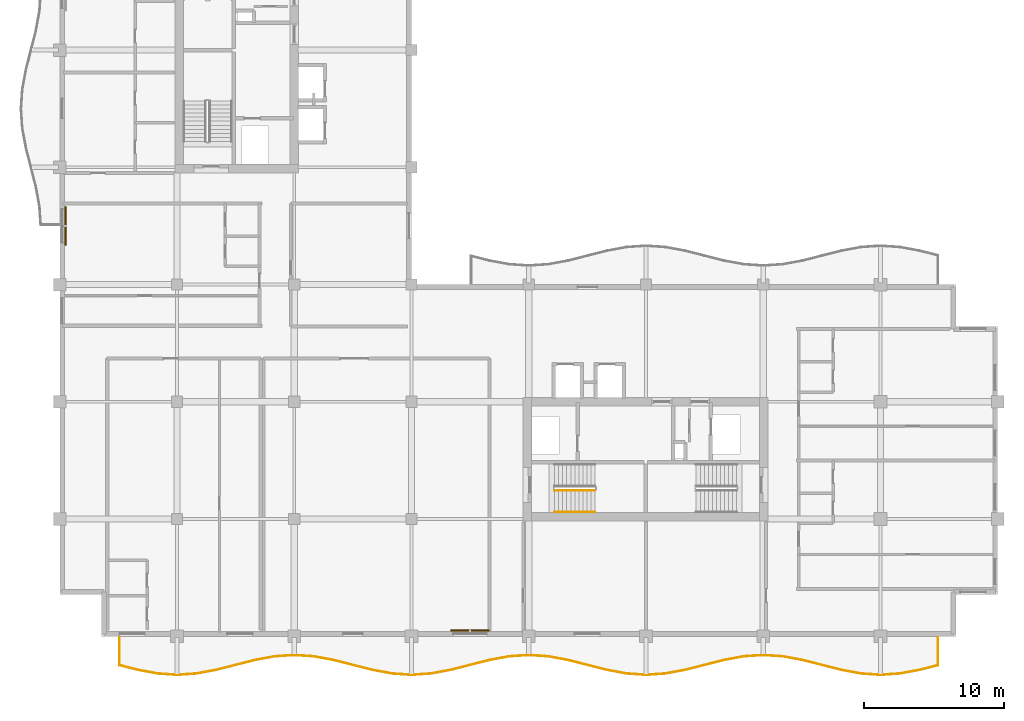
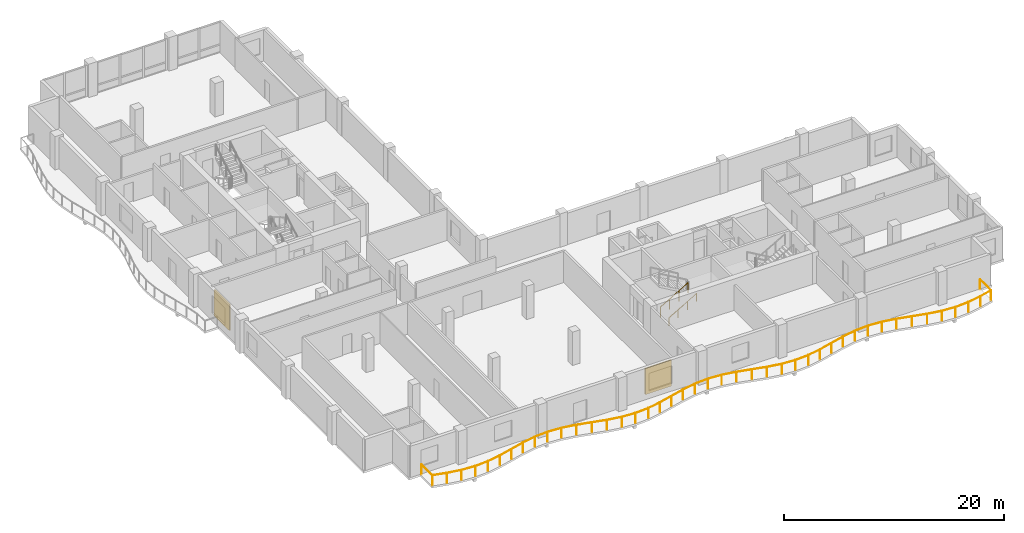
# One storey, part 13 of 16: 3 railings, 2 shading devices.
"""IFC4 building model written with IfcOpenShell, lengths in metres."""

from ifc_helpers import new_model, si_unit, direction, frame, origin, origin_2d, place, context, subcontext, project, spatial, rectangle, circle, extrude, material, layer, layer_set, type_object, element, save


model = new_model("IFC4")

# Units and contexts
model_context = context("Model", 3, precision=1e-05, world=origin(), true_north=direction((0.0, 1.0)))
body_context = subcontext(model_context, "Body", "Model", "MODEL_VIEW")
ifc_project = project(units=[si_unit("LENGTHUNIT", "METRE"), si_unit("AREAUNIT", "SQUARE_METRE"), si_unit("VOLUMEUNIT", "CUBIC_METRE"), si_unit("PLANEANGLEUNIT", "RADIAN"), si_unit("MASSUNIT", "GRAM", prefix="KILO")], contexts=[model_context])

# Site, building, storey
site_placement = place(None, origin())
site = spatial("IfcSite", under=ifc_project, at=site_placement, CompositionType="ELEMENT")
building_placement = place(site_placement, origin())
building = spatial("IfcBuilding", under=site, at=building_placement, Name="Koriwani Terraces Tower", CompositionType="ELEMENT")
storey_placement = place(building_placement, frame((0.0, 0.0, 267.5)))
storey = spatial("IfcBuildingStorey", under=building, at=storey_placement, Name="L66", CompositionType="ELEMENT", Elevation=267.5)

# Railings
ifc_material_1 = material(Name="Steel ASTM A572 Grade 50", Category="steel")
railing_type_1 = type_object("IfcRailingType", Name="GUARD_BALUSTRADE_1150", PredefinedType="BALUSTRADE", material=ifc_material_1)
railing_1_placement = place(storey_placement, frame((12.679931640625, 8.320068359375, 0.0)))
element("IfcRailing", 1, at=railing_1_placement, inside=storey, type_object=railing_type_1, Name="L66 Balcony Perimeter Safety Balustrade (S)", PredefinedType="BALUSTRADE", context=body_context, shape_type="SweptSolid", body=[
    extrude(circle(Radius=0.02392578125, at=origin_2d()), frame((0.0, 0.0, 1.1259765625), z_axis=(0.0, -1.0, 0.0), x_axis=(1.0, 0.0, 0.0)), (0.0, 0.0, 1.0), 1.997802734375),
    extrude(circle(Radius=0.02392578125, at=origin_2d()), frame((0.0, -1.997802734375, 1.1259765625), z_axis=(0.969314490181, -0.245823959624, 0.0), x_axis=(0.245823959624, 0.969314490181, 0.0)), (0.0, 0.0, 1.0), 1.37939453125),
    extrude(circle(Radius=0.02392578125, at=origin_2d()), frame((1.337158203125, -2.3369140625, 1.1259765625), z_axis=(0.98320420208, -0.182508895706, 0.0), x_axis=(0.182508895706, 0.98320420208, 0.0)), (0.0, 0.0, 1.0), 1.41650390625),
    extrude(circle(Radius=0.02392578125, at=origin_2d()), frame((2.72998046875, -2.595458984375, 1.1259765625), z_axis=(0.997698263815, -0.067809839848, 0.0), x_axis=(0.067809839848, 0.997698263815, 0.0)), (0.0, 0.0, 1.0), 1.393310546875),
    extrude(circle(Radius=0.02392578125, at=origin_2d()), frame((4.1201171875, -2.68994140625, 1.1259765625), z_axis=(0.997697457915, 0.067821696155, 0.0), x_axis=(-0.067821696155, 0.997697457915, 0.0)), (0.0, 0.0, 1.0), 1.39306640625),
    extrude(circle(Radius=0.02392578125, at=origin_2d()), frame((5.510009765625, -2.595458984375, 1.1259765625), z_axis=(0.98320420208, 0.182508895706, 0.0), x_axis=(-0.182508895706, 0.98320420208, 0.0)), (0.0, 0.0, 1.0), 1.41650390625),
    extrude(circle(Radius=0.02392578125, at=origin_2d()), frame((6.90283203125, -2.3369140625, 1.1259765625), z_axis=(0.969326714928, 0.245775750895, 0.0), x_axis=(-0.245775750895, 0.969326714928, 0.0)), (0.0, 0.0, 1.0), 2.888671875),
    extrude(circle(Radius=0.02392578125, at=origin_2d()), frame((9.702880859375, -1.626953125, 1.1259765625), z_axis=(0.983233329212, 0.182351913416, 0.0), x_axis=(-0.182351913416, 0.983233329212, 0.0)), (0.0, 0.0, 1.0), 1.43115234375),
    extrude(circle(Radius=0.02392578125, at=origin_2d()), frame((11.110107421875, -1.365966796875, 1.1259765625), z_axis=(0.997704165633, 0.067722949425, 0.0), x_axis=(-0.067722949425, 0.997704165633, 0.0)), (0.0, 0.0, 1.0), 1.4130859375),
    extrude(circle(Radius=0.02392578125, at=origin_2d()), frame((12.52001953125, -1.270263671875, 1.1259765625), z_axis=(0.997704957786, -0.067711278299, 0.0), x_axis=(0.067711278299, 0.997704957786, 0.0)), (0.0, 0.0, 1.0), 1.413330078125),
    extrude(circle(Radius=0.02392578125, at=origin_2d()), frame((13.93017578125, -1.365966796875, 1.1259765625), z_axis=(0.983227655562, -0.182382502828, 0.0), x_axis=(0.182382502828, 0.983227655562, 0.0)), (0.0, 0.0, 1.0), 1.430908203125),
    extrude(circle(Radius=0.02392578125, at=origin_2d()), frame((15.337158203125, -1.626953125, 1.1259765625), z_axis=(0.969326714928, -0.245775750895, 0.0), x_axis=(0.245775750895, 0.969326714928, 0.0)), (0.0, 0.0, 1.0), 2.888671875),
    extrude(circle(Radius=0.02392578125, at=origin_2d()), frame((18.13720703125, -2.3369140625, 1.1259765625), z_axis=(0.98320420208, -0.182508895706, 0.0), x_axis=(0.182508895706, 0.98320420208, 0.0)), (0.0, 0.0, 1.0), 1.41650390625),
    extrude(circle(Radius=0.02392578125, at=origin_2d()), frame((19.530029296875, -2.595458984375, 1.1259765625), z_axis=(0.997698263815, -0.067809839848, 0.0), x_axis=(0.067809839848, 0.997698263815, 0.0)), (0.0, 0.0, 1.0), 1.393310546875),
    extrude(circle(Radius=0.02392578125, at=origin_2d()), frame((20.920166015625, -2.68994140625, 1.1259765625), z_axis=(0.997697457915, 0.067821696155, 0.0), x_axis=(-0.067821696155, 0.997697457915, 0.0)), (0.0, 0.0, 1.0), 1.39306640625),
    extrude(circle(Radius=0.02392578125, at=origin_2d()), frame((22.31005859375, -2.595458984375, 1.1259765625), z_axis=(0.98320420208, 0.182508895706, 0.0), x_axis=(-0.182508895706, 0.98320420208, 0.0)), (0.0, 0.0, 1.0), 1.41650390625),
    extrude(circle(Radius=0.02392578125, at=origin_2d()), frame((23.702880859375, -2.3369140625, 1.1259765625), z_axis=(0.969326714928, 0.245775750895, 0.0), x_axis=(-0.245775750895, 0.969326714928, 0.0)), (0.0, 0.0, 1.0), 2.888671875),
    extrude(circle(Radius=0.02392578125, at=origin_2d()), frame((26.5029296875, -1.626953125, 1.1259765625), z_axis=(0.983233329212, 0.182351913416, 0.0), x_axis=(-0.182351913416, 0.983233329212, 0.0)), (0.0, 0.0, 1.0), 1.43115234375),
    extrude(circle(Radius=0.02392578125, at=origin_2d()), frame((27.91015625, -1.365966796875, 1.1259765625), z_axis=(0.997704165633, 0.067722949425, 0.0), x_axis=(-0.067722949425, 0.997704165633, 0.0)), (0.0, 0.0, 1.0), 1.4130859375),
    extrude(circle(Radius=0.02392578125, at=origin_2d()), frame((29.320068359375, -1.270263671875, 1.1259765625), z_axis=(0.997704165633, -0.067722949425, 0.0), x_axis=(0.067722949425, 0.997704165633, 0.0)), (0.0, 0.0, 1.0), 1.4130859375),
    extrude(circle(Radius=0.02392578125, at=origin_2d()), frame((30.72998046875, -1.365966796875, 1.1259765625), z_axis=(0.983233329212, -0.182351913416, 0.0), x_axis=(0.182351913416, 0.983233329212, 0.0)), (0.0, 0.0, 1.0), 1.43115234375),
    extrude(circle(Radius=0.02392578125, at=origin_2d()), frame((32.13720703125, -1.626953125, 1.1259765625), z_axis=(0.969326714928, -0.245775750895, 0.0), x_axis=(0.245775750895, 0.969326714928, 0.0)), (0.0, 0.0, 1.0), 2.888671875),
    extrude(circle(Radius=0.02392578125, at=origin_2d()), frame((34.937255859375, -2.3369140625, 1.1259765625), z_axis=(0.98320420208, -0.182508895706, 0.0), x_axis=(0.182508895706, 0.98320420208, 0.0)), (0.0, 0.0, 1.0), 1.41650390625),
    extrude(circle(Radius=0.02392578125, at=origin_2d()), frame((36.330078125, -2.595458984375, 1.1259765625), z_axis=(0.997697457915, -0.067821696155, 0.0), x_axis=(0.067821696155, 0.997697457915, 0.0)), (0.0, 0.0, 1.0), 1.39306640625),
    extrude(circle(Radius=0.02392578125, at=origin_2d()), frame((37.719970703125, -2.68994140625, 1.1259765625), z_axis=(0.997698263815, 0.067809839848, 0.0), x_axis=(-0.067809839848, 0.997698263815, 0.0)), (0.0, 0.0, 1.0), 1.393310546875),
    extrude(circle(Radius=0.02392578125, at=origin_2d()), frame((39.110107421875, -2.595458984375, 1.1259765625), z_axis=(0.98320420208, 0.182508895706, 0.0), x_axis=(-0.182508895706, 0.98320420208, 0.0)), (0.0, 0.0, 1.0), 1.41650390625),
    extrude(circle(Radius=0.02392578125, at=origin_2d()), frame((40.5029296875, -2.3369140625, 1.1259765625), z_axis=(0.969326714928, 0.245775750895, 0.0), x_axis=(-0.245775750895, 0.969326714928, 0.0)), (0.0, 0.0, 1.0), 2.888671875),
    extrude(circle(Radius=0.02392578125, at=origin_2d()), frame((43.302978515625, -1.626953125, 1.1259765625), z_axis=(0.983227655562, 0.182382502828, 0.0), x_axis=(-0.182382502828, 0.983227655562, 0.0)), (0.0, 0.0, 1.0), 1.430908203125),
    extrude(circle(Radius=0.02392578125, at=origin_2d()), frame((44.7099609375, -1.365966796875, 1.1259765625), z_axis=(0.997704957786, 0.067711278299, 0.0), x_axis=(-0.067711278299, 0.997704957786, 0.0)), (0.0, 0.0, 1.0), 1.413330078125),
    extrude(circle(Radius=0.02392578125, at=origin_2d()), frame((46.1201171875, -1.270263671875, 1.1259765625), z_axis=(0.997704165633, -0.067722949425, 0.0), x_axis=(0.067722949425, 0.997704165633, 0.0)), (0.0, 0.0, 1.0), 1.4130859375),
    extrude(circle(Radius=0.02392578125, at=origin_2d()), frame((47.530029296875, -1.365966796875, 1.1259765625), z_axis=(0.983233329212, -0.182351913416, 0.0), x_axis=(0.182351913416, 0.983233329212, 0.0)), (0.0, 0.0, 1.0), 1.43115234375),
    extrude(circle(Radius=0.02392578125, at=origin_2d()), frame((48.937255859375, -1.626953125, 1.1259765625), z_axis=(0.969326714928, -0.245775750895, 0.0), x_axis=(0.245775750895, 0.969326714928, 0.0)), (0.0, 0.0, 1.0), 2.888671875),
    extrude(circle(Radius=0.02392578125, at=origin_2d()), frame((51.7373046875, -2.3369140625, 1.1259765625), z_axis=(0.98320420208, -0.182508895706, 0.0), x_axis=(0.182508895706, 0.98320420208, 0.0)), (0.0, 0.0, 1.0), 1.41650390625),
    extrude(circle(Radius=0.02392578125, at=origin_2d()), frame((53.130126953125, -2.595458984375, 1.1259765625), z_axis=(0.997697457915, -0.067821696155, 0.0), x_axis=(0.067821696155, 0.997697457915, 0.0)), (0.0, 0.0, 1.0), 1.39306640625),
    extrude(circle(Radius=0.02392578125, at=origin_2d()), frame((54.52001953125, -2.68994140625, 1.1259765625), z_axis=(0.997698263815, 0.067809839848, 0.0), x_axis=(-0.067809839848, 0.997698263815, 0.0)), (0.0, 0.0, 1.0), 1.393310546875),
    extrude(circle(Radius=0.02392578125, at=origin_2d()), frame((55.91015625, -2.595458984375, 1.1259765625), z_axis=(0.98320420208, 0.182508895706, 0.0), x_axis=(-0.182508895706, 0.98320420208, 0.0)), (0.0, 0.0, 1.0), 1.41650390625),
    extrude(circle(Radius=0.02392578125, at=origin_2d()), frame((57.302978515625, -2.3369140625, 1.1259765625), z_axis=(0.969314490181, 0.245823959624, 0.0), x_axis=(-0.245823959624, 0.969314490181, 0.0)), (0.0, 0.0, 1.0), 1.37939453125),
    extrude(circle(Radius=0.02392578125, at=origin_2d()), frame((58.64013671875, -1.997802734375, 1.1259765625), z_axis=(0.0, 1.0, 0.0), x_axis=(-1.0, 0.0, 0.0)), (0.0, 0.0, 1.0), 1.997802734375),
    extrude(circle(Radius=0.02099609375, at=origin_2d()), origin(), (0.0, 0.0, 1.0), 1.101806640625),
    extrude(circle(Radius=0.02099609375, at=origin_2d()), frame((0.0, -1.997802734375, 0.0)), (0.0, 0.0, 1.0), 1.101806640625),
    extrude(circle(Radius=0.02099609375, at=origin_2d()), frame((1.337158203125, -2.3369140625, 0.0)), (0.0, 0.0, 1.0), 1.101806640625),
    extrude(circle(Radius=0.02099609375, at=origin_2d()), frame((2.72998046875, -2.595458984375, 0.0)), (0.0, 0.0, 1.0), 1.101806640625),
    extrude(circle(Radius=0.02099609375, at=origin_2d()), frame((4.1201171875, -2.68994140625, 0.0)), (0.0, 0.0, 1.0), 1.101806640625),
    extrude(circle(Radius=0.02099609375, at=origin_2d()), frame((5.510009765625, -2.595458984375, 0.0)), (0.0, 0.0, 1.0), 1.101806640625),
    extrude(circle(Radius=0.02099609375, at=origin_2d()), frame((6.90283203125, -2.3369140625, 0.0)), (0.0, 0.0, 1.0), 1.101806640625),
    extrude(circle(Radius=0.02099609375, at=origin_2d()), frame((8.302734375, -1.98193359375, 0.0)), (0.0, 0.0, 1.0), 1.101806640625),
    extrude(circle(Radius=0.02099609375, at=origin_2d()), frame((9.702880859375, -1.626953125, 0.0)), (0.0, 0.0, 1.0), 1.101806640625),
    extrude(circle(Radius=0.02099609375, at=origin_2d()), frame((11.110107421875, -1.365966796875, 0.0)), (0.0, 0.0, 1.0), 1.101806640625),
    extrude(circle(Radius=0.02099609375, at=origin_2d()), frame((12.52001953125, -1.270263671875, 0.0)), (0.0, 0.0, 1.0), 1.101806640625),
    extrude(circle(Radius=0.02099609375, at=origin_2d()), frame((13.93017578125, -1.365966796875, 0.0)), (0.0, 0.0, 1.0), 1.101806640625),
    extrude(circle(Radius=0.02099609375, at=origin_2d()), frame((15.337158203125, -1.626953125, 0.0)), (0.0, 0.0, 1.0), 1.101806640625),
    extrude(circle(Radius=0.02099609375, at=origin_2d()), frame((16.7373046875, -1.98193359375, 0.0)), (0.0, 0.0, 1.0), 1.101806640625),
    extrude(circle(Radius=0.02099609375, at=origin_2d()), frame((18.13720703125, -2.3369140625, 0.0)), (0.0, 0.0, 1.0), 1.101806640625),
    extrude(circle(Radius=0.02099609375, at=origin_2d()), frame((19.530029296875, -2.595458984375, 0.0)), (0.0, 0.0, 1.0), 1.101806640625),
    extrude(circle(Radius=0.02099609375, at=origin_2d()), frame((20.920166015625, -2.68994140625, 0.0)), (0.0, 0.0, 1.0), 1.101806640625),
    extrude(circle(Radius=0.02099609375, at=origin_2d()), frame((22.31005859375, -2.595458984375, 0.0)), (0.0, 0.0, 1.0), 1.101806640625),
    extrude(circle(Radius=0.02099609375, at=origin_2d()), frame((23.702880859375, -2.3369140625, 0.0)), (0.0, 0.0, 1.0), 1.101806640625),
    extrude(circle(Radius=0.02099609375, at=origin_2d()), frame((25.10302734375, -1.98193359375, 0.0)), (0.0, 0.0, 1.0), 1.101806640625),
    extrude(circle(Radius=0.02099609375, at=origin_2d()), frame((26.5029296875, -1.626953125, 0.0)), (0.0, 0.0, 1.0), 1.101806640625),
    extrude(circle(Radius=0.02099609375, at=origin_2d()), frame((27.91015625, -1.365966796875, 0.0)), (0.0, 0.0, 1.0), 1.101806640625),
    extrude(circle(Radius=0.02099609375, at=origin_2d()), frame((29.320068359375, -1.270263671875, 0.0)), (0.0, 0.0, 1.0), 1.101806640625),
    extrude(circle(Radius=0.02099609375, at=origin_2d()), frame((30.72998046875, -1.365966796875, 0.0)), (0.0, 0.0, 1.0), 1.101806640625),
    extrude(circle(Radius=0.02099609375, at=origin_2d()), frame((32.13720703125, -1.626953125, 0.0)), (0.0, 0.0, 1.0), 1.101806640625),
    extrude(circle(Radius=0.02099609375, at=origin_2d()), frame((33.537109375, -1.98193359375, 0.0)), (0.0, 0.0, 1.0), 1.101806640625),
    extrude(circle(Radius=0.02099609375, at=origin_2d()), frame((34.937255859375, -2.3369140625, 0.0)), (0.0, 0.0, 1.0), 1.101806640625),
    extrude(circle(Radius=0.02099609375, at=origin_2d()), frame((36.330078125, -2.595458984375, 0.0)), (0.0, 0.0, 1.0), 1.101806640625),
    extrude(circle(Radius=0.02099609375, at=origin_2d()), frame((37.719970703125, -2.68994140625, 0.0)), (0.0, 0.0, 1.0), 1.101806640625),
    extrude(circle(Radius=0.02099609375, at=origin_2d()), frame((39.110107421875, -2.595458984375, 0.0)), (0.0, 0.0, 1.0), 1.101806640625),
    extrude(circle(Radius=0.02099609375, at=origin_2d()), frame((40.5029296875, -2.3369140625, 0.0)), (0.0, 0.0, 1.0), 1.101806640625),
    extrude(circle(Radius=0.02099609375, at=origin_2d()), frame((41.90283203125, -1.98193359375, 0.0)), (0.0, 0.0, 1.0), 1.101806640625),
    extrude(circle(Radius=0.02099609375, at=origin_2d()), frame((43.302978515625, -1.626953125, 0.0)), (0.0, 0.0, 1.0), 1.101806640625),
    extrude(circle(Radius=0.02099609375, at=origin_2d()), frame((44.7099609375, -1.365966796875, 0.0)), (0.0, 0.0, 1.0), 1.101806640625),
    extrude(circle(Radius=0.02099609375, at=origin_2d()), frame((46.1201171875, -1.270263671875, 0.0)), (0.0, 0.0, 1.0), 1.101806640625),
    extrude(circle(Radius=0.02099609375, at=origin_2d()), frame((47.530029296875, -1.365966796875, 0.0)), (0.0, 0.0, 1.0), 1.101806640625),
    extrude(circle(Radius=0.02099609375, at=origin_2d()), frame((48.937255859375, -1.626953125, 0.0)), (0.0, 0.0, 1.0), 1.101806640625),
    extrude(circle(Radius=0.02099609375, at=origin_2d()), frame((50.33740234375, -1.98193359375, 0.0)), (0.0, 0.0, 1.0), 1.101806640625),
    extrude(circle(Radius=0.02099609375, at=origin_2d()), frame((51.7373046875, -2.3369140625, 0.0)), (0.0, 0.0, 1.0), 1.101806640625),
    extrude(circle(Radius=0.02099609375, at=origin_2d()), frame((53.130126953125, -2.595458984375, 0.0)), (0.0, 0.0, 1.0), 1.101806640625),
    extrude(circle(Radius=0.02099609375, at=origin_2d()), frame((54.52001953125, -2.68994140625, 0.0)), (0.0, 0.0, 1.0), 1.101806640625),
    extrude(circle(Radius=0.02099609375, at=origin_2d()), frame((55.91015625, -2.595458984375, 0.0)), (0.0, 0.0, 1.0), 1.101806640625),
    extrude(circle(Radius=0.02099609375, at=origin_2d()), frame((57.302978515625, -2.3369140625, 0.0)), (0.0, 0.0, 1.0), 1.101806640625),
    extrude(circle(Radius=0.02099609375, at=origin_2d()), frame((58.64013671875, -1.997802734375, 0.0)), (0.0, 0.0, 1.0), 1.101806640625),
    extrude(circle(Radius=0.02099609375, at=origin_2d()), frame((58.64013671875, 0.0, 0.0)), (0.0, 0.0, 1.0), 1.101806640625),
])
railing_type_2 = type_object("IfcRailingType", Name="GUARD_STAIR_WELL_1120", PredefinedType="GUARDRAIL", material=ifc_material_1)
railing_2_placement = place(storey_placement, frame((43.85009765625, 18.85009765625, 0.168212890625)))
element("IfcRailing", 2, at=railing_2_placement, inside=storey, type_object=railing_type_2, Name="L66 ST-E1 stair guard 1", PredefinedType="GUARDRAIL", context=body_context, shape_type="SweptSolid", body=[
    extrude(circle(Radius=0.02392578125, at=origin_2d()), frame((0.0, 0.0, 1.1259765625), z_axis=(0.865038774852, 0.0, 0.501705010941), x_axis=(0.0, 1.0, 0.0)), (0.0, 0.0, 1.0), 3.352294921875),
    extrude(circle(Radius=0.02099609375, at=origin_2d()), origin(), (0.0, 0.0, 1.0), 1.101806640625),
    extrude(circle(Radius=0.02099609375, at=origin_2d()), frame((0.966552734375, 0.0, 0.560546875)), (0.0, 0.0, 1.0), 1.101806640625),
    extrude(circle(Radius=0.02099609375, at=origin_2d()), frame((1.933349609375, 0.0, 1.121337890625)), (0.0, 0.0, 1.0), 1.101806640625),
    extrude(circle(Radius=0.02099609375, at=origin_2d()), frame((2.89990234375, 0.0, 1.681884765625)), (0.0, 0.0, 1.0), 1.101806640625),
])
railing_type_3 = type_object("IfcRailingType", Name="HANDRAIL_STAIR_920", PredefinedType="HANDRAIL", material=ifc_material_1)
railing_3_placement = place(storey_placement, frame((43.85009765625, 17.300048828125, 0.168212890625)))
element("IfcRailing", 3, at=railing_3_placement, inside=storey, type_object=railing_type_3, Name="L66 ST-E1 stair handrail 1", PredefinedType="HANDRAIL", context=body_context, shape_type="SweptSolid", body=[
    extrude(circle(Radius=0.02392578125, at=origin_2d()), frame((0.0, 0.0, 0.8759765625), z_axis=(0.865038774852, 0.0, 0.501705010941), x_axis=(0.0, 1.0, 0.0)), (0.0, 0.0, 1.0), 3.352294921875),
    extrude(circle(Radius=0.02099609375, at=origin_2d()), origin(), (0.0, 0.0, 1.0), 0.851806640625),
    extrude(circle(Radius=0.02099609375, at=origin_2d()), frame((0.966552734375, 0.0, 0.560546875)), (0.0, 0.0, 1.0), 0.851806640625),
    extrude(circle(Radius=0.02099609375, at=origin_2d()), frame((1.933349609375, 0.0, 1.121337890625)), (0.0, 0.0, 1.0), 0.851806640625),
    extrude(circle(Radius=0.02099609375, at=origin_2d()), frame((2.89990234375, 0.0, 1.681884765625)), (0.0, 0.0, 1.0), 0.851806640625),
])

# Shading devices
ifc_material_2 = material(Name="Extruded Terracotta Clay", Category="masonry")
ifc_layer = layer(ifc_material_2, 0.1201171875, Name="Extruded Terracotta Clay")
ifc_layer_set = layer_set([ifc_layer], Name="Extruded Terracotta Clay")
shading_device_type = type_object("IfcShadingDeviceType", Name="TERRACOTTA_BAGUETTE_SCREEN_2800", PredefinedType="USERDEFINED", material=ifc_layer_set)
for number, where, z_axis, x_axis, name in (
    (4, (8.804931640625, 37.800048828125, 0.28515625), (0.0, 0.0, 1.0), (0.0, 1.0, 0.0), "L66 Extruded Terracotta Baguette Screen (W-9)"),
    (5, (37.800048828125, 8.804931640625, 0.28515625), (0.0, 0.0, 1.0), (-1.0, 0.0, 0.0), "L66 Extruded Terracotta Baguette Screen (S-9)"),
):
    element("IfcShadingDevice", number, at=place(storey_placement, frame(where, z_axis=z_axis, x_axis=x_axis)), inside=storey, type_object=shading_device_type, Name=name, ObjectType="BAGUETTE", PredefinedType="USERDEFINED", context=body_context, shape_type="SweptSolid", body=[
        extrude(rectangle(XDim=2.760009765625, YDim=0.1201171875, at=origin_2d()), origin(), (0.0, 0.0, 1.0), 2.89990234375),
    ])

save(model, "model.ifc")
